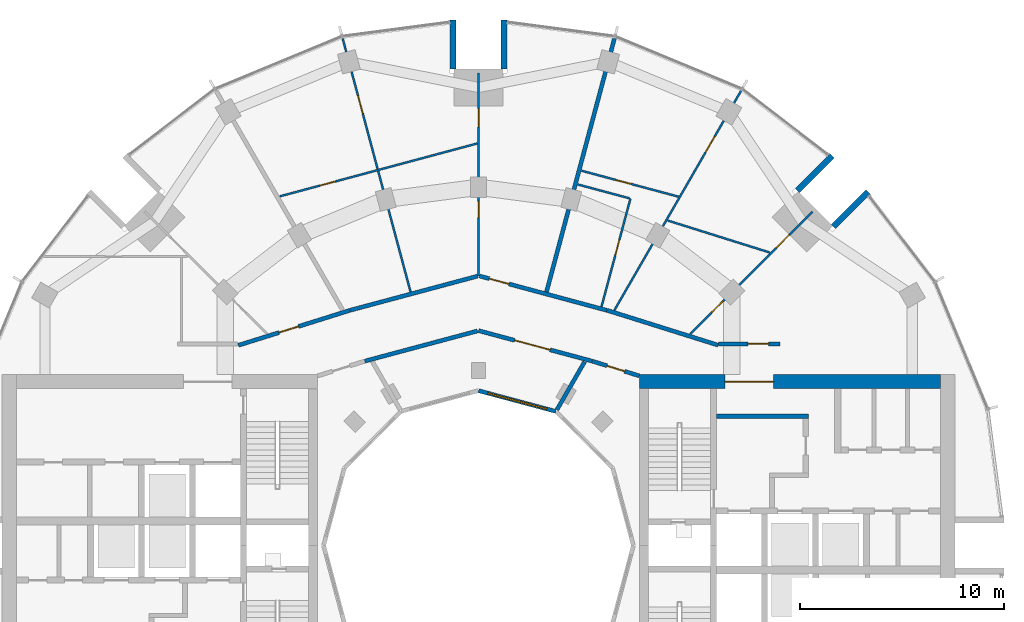
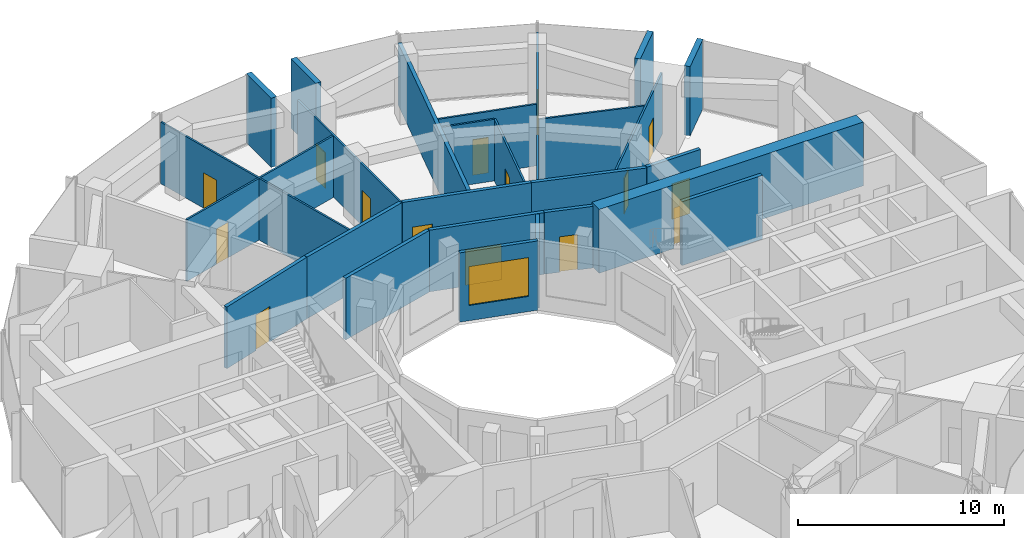
# One storey, part 12 of 15: 26 walls, 15 doors, 1 window, 16 openings.
"""IFC4 building model written with IfcOpenShell, lengths in metres."""

from ifc_helpers import new_model, si_unit, direction, frame, frame_2d, origin, place, context, subcontext, project, spatial, rectangle, extrude, material, layer, layer_set, type_object, element, fill, save


model = new_model("IFC4")

# Units and contexts
model_context = context("Model", 3, precision=1e-05, world=origin(), true_north=direction((0.0, 1.0)))
body_context = subcontext(model_context, "Body", "Model", "MODEL_VIEW")
ifc_project = project(units=[si_unit("LENGTHUNIT", "METRE"), si_unit("AREAUNIT", "SQUARE_METRE"), si_unit("VOLUMEUNIT", "CUBIC_METRE"), si_unit("PLANEANGLEUNIT", "RADIAN"), si_unit("MASSUNIT", "GRAM", prefix="KILO")], contexts=[model_context])

# Site, building, storey
site_placement = place(None, origin())
site = spatial("IfcSite", under=ifc_project, at=site_placement, CompositionType="ELEMENT")
building_placement = place(site_placement, origin())
building = spatial("IfcBuilding", under=site, at=building_placement, Name="Torre Brocal", CompositionType="ELEMENT")
storey_placement = place(building_placement, frame((0.0, 0.0, 170.0)))
storey = spatial("IfcBuildingStorey", under=building, at=storey_placement, Name="L39", CompositionType="ELEMENT", Elevation=170.0)

# Wall
ifc_material_1 = material(Name="Concrete C70", Category="concrete")
ifc_layer_1 = layer(ifc_material_1, 0.199951171875)
ifc_layer_set_1 = layer_set([ifc_layer_1], Name="Concrete C70")
wall_type_1 = type_object("IfcWallType", Name="CORE WALL 200 C70", PredefinedType="SHEAR", material=ifc_layer_set_1)
wall_1_placement = place(storey_placement, frame((91.699951171875, 81.35009765625, 0.0), z_axis=(0.0, 0.0, 1.0), x_axis=(1.0, 0.0, 0.0)))
element("IfcWall", 1, at=wall_1_placement, inside=storey, type_object=wall_type_1, Name="Wall CW200-70", PredefinedType="SHEAR", context=body_context, shape_type="SweptSolid", body=[
    extrude(rectangle(XDim=4.5, YDim=0.199951171875, at=frame_2d((2.25, 0.0))), origin(), (0.0, 0.0, 1.0), 3.780029296875),
])

# Wall, opening, door
ifc_material_2 = material(Name="Concrete C70", Category="concrete")
ifc_layer_2 = layer(ifc_material_2, 0.699951171875)
ifc_layer_set_2 = layer_set([ifc_layer_2], Name="Concrete C70")
wall_type_2 = type_object("IfcWallType", Name="CORE WALL 700 C70", PredefinedType="SHEAR", material=ifc_layer_set_2)
wall_2_placement = place(storey_placement, frame((87.89990234375, 83.050048828125, 0.0), z_axis=(0.0, 0.0, 1.0), x_axis=(1.0, 0.0, 0.0)))
wall_2 = element("IfcWall", 2, at=wall_2_placement, inside=storey, type_object=wall_type_2, Name="Wall CW700-70", PredefinedType="SHEAR", context=body_context, shape_type="SweptSolid", body=[
    extrude(rectangle(XDim=14.800048828125, YDim=0.699951171875, at=frame_2d((7.39990234375, 0.0))), origin(), (0.0, 0.0, 1.0), 3.780029296875),
])
opening_1_placement = place(wall_2_placement, frame((4.199951171875, 0.0, 0.0)))
opening_1 = element("IfcOpeningElement", 3, at=opening_1_placement, cuts=wall_2, Name="Opening E-D12", PredefinedType="OPENING", context=body_context, shape_type="SweptSolid", body=[
    extrude(rectangle(XDim=2.39990234375, YDim=2.39990234375, at=frame_2d((1.199951171875, 1.199951171875))), frame((0.0, 0.35986328125, 0.0), z_axis=(0.0, -1.0, 0.0), x_axis=(1.0, 0.0, 0.0)), (0.0, 0.0, 1.0), 0.719970703125),
])
ifc_material_3 = material(Name="Steel A653", Category="steel")
door_type_1 = type_object("IfcDoorType", Name="DOUBLE FIRE DOOR FD90 2400X2400", OperationType="DOUBLE_DOOR_SINGLE_SWING", PredefinedType="DOOR", material=ifc_material_3)
door_1_placement = place(opening_1_placement, frame((2.39990234375, 0.0, 0.0), z_axis=(0.0, 0.0, 1.0), x_axis=(-1.0, 0.0, 0.0)))
door_1 = element("IfcDoor", 4, at=door_1_placement, inside=storey, type_object=door_type_1, Name="Door E-D12", OperationType="DOUBLE_DOOR_SINGLE_SWING", OverallHeight=2.39990234375, OverallWidth=2.39990234375, PredefinedType="DOOR", context=body_context, shape_type="SweptSolid", body=[
    extrude(rectangle(XDim=2.39990234375, YDim=2.39990234375, at=frame_2d((1.199951171875, 1.199951171875))), frame((0.0, 0.02490234375, 0.0), z_axis=(0.0, -1.0, 0.0), x_axis=(1.0, 0.0, 0.0)), (0.0, 0.0, 1.0), 0.050048828125),
])
fill(opening_1, door_1)

# Walls
ifc_material_4 = material(Name="Concrete C70", Category="concrete")
ifc_layer_3 = layer(ifc_material_4, 0.300048828125)
ifc_layer_set_3 = layer_set([ifc_layer_3], Name="Concrete C70")
wall_type_3 = type_object("IfcWallType", Name="NOTCH RETURN WALL 300 C70", PredefinedType="NOTDEFINED", material=ifc_layer_set_3)
for number, where, z_axis, x_axis, name in (
    (5, (97.43017578125, 90.662353515625, 0.0), (0.0, 0.0, 1.0), (0.707106781187, 0.707106781187, 0.0), "NOTCH RETURN WALL"),
    (6, (95.662353515625, 92.43017578125, 0.0), (0.0, 0.0, 1.0), (0.707106781187, 0.707106781187, 0.0), "NOTCH RETURN WALL"),
    (7, (81.25, 98.39990234375, 0.0), (0.0, 0.0, 1.0), (0.0, 1.0, 0.0), "NOTCH RETURN WALL"),
    (8, (78.75, 98.39990234375, 0.0), (0.0, 0.0, 1.0), (0.0, 1.0, 0.0), "NOTCH RETURN WALL"),
):
    element("IfcWall", number, at=place(storey_placement, frame(where, z_axis=z_axis, x_axis=x_axis)), inside=storey, type_object=wall_type_3, Name=name, PredefinedType="NOTDEFINED", context=body_context, shape_type="SweptSolid", body=[
        extrude(rectangle(XDim=2.415771484375, YDim=0.300048828125, at=frame_2d((1.2080078125, 0.0))), origin(), (0.0, 0.0, 1.0), 4.10009765625),
    ])

# Wall, opening, door
ifc_material_5 = material(Name="Gypsum board", Category="Gypsum")
ifc_layer_4 = layer(ifc_material_5, 0.10009765625)
ifc_layer_set_4 = layer_set([ifc_layer_4], Name="Gypsum board")
wall_type_4 = type_object("IfcWallType", Name="PARTITION 100", PredefinedType="PARTITIONING", material=ifc_layer_set_4)
wall_3_placement = place(storey_placement, frame((70.23193359375, 92.15087890625, 0.0), z_axis=(0.0, 0.0, 1.0), x_axis=(0.965980126086, 0.258616310405, 0.0)))
wall_3 = element("IfcWall", 9, at=wall_3_placement, inside=storey, type_object=wall_type_4, Name="BATHROOM WALL", PredefinedType="PARTITIONING", context=body_context, shape_type="SweptSolid", body=[
    extrude(rectangle(XDim=10.052978515625, YDim=0.10009765625, at=frame_2d((5.0263671875, 0.0))), origin(), (0.0, 0.0, 1.0), 3.64990234375),
])
opening_2_placement = place(wall_3_placement, frame((2.0380859375, 0.0, 0.0)))
opening_2 = element("IfcOpeningElement", 10, at=opening_2_placement, cuts=wall_3, Name="Opening R02-D11", PredefinedType="OPENING", context=body_context, shape_type="SweptSolid", body=[
    extrude(rectangle(XDim=0.800048828125, YDim=2.10009765625, at=frame_2d((0.39990234375, 1.050048828125))), frame((0.0, 0.06005859375, 0.0), z_axis=(0.0, -1.0, 0.0), x_axis=(1.0, 0.0, 0.0)), (0.0, 0.0, 1.0), 0.1201171875),
])
ifc_material_6 = material(Name="Timber", Category="wood")
door_type_2 = type_object("IfcDoorType", Name="BATHROOM DOOR 800X2100", OperationType="SINGLE_SWING_LEFT", PredefinedType="DOOR", material=ifc_material_6)
door_2_placement = place(opening_2_placement, frame((0.800048828125, 0.0, 0.0), z_axis=(0.0, 0.0, 1.0), x_axis=(-1.0, 0.0, 0.0)))
door_2 = element("IfcDoor", 11, at=door_2_placement, inside=storey, type_object=door_type_2, Name="R02-D11", OperationType="SINGLE_SWING_RIGHT", OverallHeight=2.10009765625, OverallWidth=0.800048828125, PredefinedType="DOOR", context=body_context, shape_type="SweptSolid", body=[
    extrude(rectangle(XDim=0.800048828125, YDim=2.10009765625, at=frame_2d((0.39990234375, 1.050048828125))), frame((0.0, 0.02490234375, 0.0), z_axis=(0.0, -1.0, 0.0), x_axis=(1.0, 0.0, 0.0)), (0.0, 0.0, 1.0), 0.050048828125),
])
fill(opening_2, door_2)

wall_4_placement = place(storey_placement, frame((73.322998046875, 99.919189453125, 0.0), z_axis=(0.0, 0.0, 1.0), x_axis=(0.258768239436, -0.965939438194, 0.0)))
wall_4 = element("IfcWall", 12, at=wall_4_placement, inside=storey, type_object=wall_type_4, Name="BATHROOM WALL", PredefinedType="PARTITIONING", context=body_context, shape_type="SweptSolid", body=[
    extrude(rectangle(XDim=12.90380859375, YDim=0.10009765625, at=frame_2d((6.451904296875, 0.0))), origin(), (0.0, 0.0, 1.0), 3.64990234375),
])
opening_3_placement = place(wall_4_placement, frame((2.92724609375, 0.0, 0.0)))
opening_3 = element("IfcOpeningElement", 13, at=opening_3_placement, cuts=wall_4, Name="Opening R02-D10", PredefinedType="OPENING", context=body_context, shape_type="SweptSolid", body=[
    extrude(rectangle(XDim=0.89990234375, YDim=2.10009765625, at=frame_2d((0.449951171875, 1.050048828125))), frame((0.0, 0.06005859375, 0.0), z_axis=(0.0, -1.0, 0.0), x_axis=(1.0, 0.0, 0.0)), (0.0, 0.0, 1.0), 0.1201171875),
])
ifc_material_7 = material(Name="Timber", Category="wood")
door_type_3 = type_object("IfcDoorType", Name="ROOM DOOR 900X2100", OperationType="SINGLE_SWING_LEFT", PredefinedType="DOOR", material=ifc_material_7)
door_3_placement = place(opening_3_placement, origin())
door_3 = element("IfcDoor", 14, at=door_3_placement, inside=storey, type_object=door_type_3, Name="R02-D10", OperationType="SINGLE_SWING_LEFT", OverallHeight=2.10009765625, OverallWidth=0.89990234375, PredefinedType="DOOR", context=body_context, shape_type="SweptSolid", body=[
    extrude(rectangle(XDim=0.89990234375, YDim=2.10009765625, at=frame_2d((0.449951171875, 1.050048828125))), frame((0.0, 0.02490234375, 0.0), z_axis=(0.0, -1.0, 0.0), x_axis=(1.0, 0.0, 0.0)), (0.0, 0.0, 1.0), 0.050048828125),
])
fill(opening_3, door_3)

# Wall, openings, doors
wall_5_placement = place(storey_placement, frame((80.0, 88.24609375, 0.0), z_axis=(0.0, 0.0, 1.0), x_axis=(0.0, 1.0, 0.0)))
wall_5 = element("IfcWall", 15, at=wall_5_placement, inside=storey, type_object=wall_type_4, Name="BATHROOM WALL", PredefinedType="PARTITIONING", context=body_context, shape_type="SweptSolid", body=[
    extrude(rectangle(XDim=9.953857421875, YDim=0.10009765625, at=frame_2d((4.97705078125, 0.0))), origin(), (0.0, 0.0, 1.0), 3.64990234375),
])
opening_4_placement = place(wall_5_placement, frame((7.3134765625, 0.0, 0.0)))
opening_4 = element("IfcOpeningElement", 16, at=opening_4_placement, cuts=wall_5, Name="Opening R02-D08", PredefinedType="OPENING", context=body_context, shape_type="SweptSolid", body=[
    extrude(rectangle(XDim=0.89990234375, YDim=2.10009765625, at=frame_2d((0.449951171875, 1.050048828125))), frame((0.0, 0.06005859375, 0.0), z_axis=(0.0, -1.0, 0.0), x_axis=(1.0, 0.0, 0.0)), (0.0, 0.0, 1.0), 0.1201171875),
])
opening_5_placement = place(wall_5_placement, frame((2.861572265625, 0.0, 0.0)))
opening_5 = element("IfcOpeningElement", 17, at=opening_5_placement, cuts=wall_5, Name="Opening R02-D09", PredefinedType="OPENING", context=body_context, shape_type="SweptSolid", body=[
    extrude(rectangle(XDim=0.800048828125, YDim=2.10009765625, at=frame_2d((0.39990234375, 1.050048828125))), frame((0.0, 0.06005859375, 0.0), z_axis=(0.0, -1.0, 0.0), x_axis=(1.0, 0.0, 0.0)), (0.0, 0.0, 1.0), 0.1201171875),
])
door_4_placement = place(opening_5_placement, origin())
door_4 = element("IfcDoor", 18, at=door_4_placement, inside=storey, type_object=door_type_2, Name="R02-D09", OperationType="SINGLE_SWING_RIGHT", OverallHeight=2.10009765625, OverallWidth=0.800048828125, PredefinedType="DOOR", context=body_context, shape_type="SweptSolid", body=[
    extrude(rectangle(XDim=0.800048828125, YDim=2.10009765625, at=frame_2d((0.39990234375, 1.050048828125))), frame((0.0, 0.02490234375, 0.0), z_axis=(0.0, -1.0, 0.0), x_axis=(1.0, 0.0, 0.0)), (0.0, 0.0, 1.0), 0.050048828125),
])
fill(opening_5, door_4)
door_5_placement = place(opening_4_placement, origin())
door_5 = element("IfcDoor", 19, at=door_5_placement, inside=storey, type_object=door_type_3, Name="R02-D08", OperationType="SINGLE_SWING_LEFT", OverallHeight=2.10009765625, OverallWidth=0.89990234375, PredefinedType="DOOR", context=body_context, shape_type="SweptSolid", body=[
    extrude(rectangle(XDim=0.89990234375, YDim=2.10009765625, at=frame_2d((0.449951171875, 1.050048828125))), frame((0.0, 0.02490234375, 0.0), z_axis=(0.0, -1.0, 0.0), x_axis=(1.0, 0.0, 0.0)), (0.0, 0.0, 1.0), 0.050048828125),
])
fill(opening_4, door_5)

# Wall
wall_6_placement = place(storey_placement, frame((84.8671875, 92.738525390625, 0.0), z_axis=(0.0, 0.0, 1.0), x_axis=(0.96595176814, -0.25872220938, 0.0)))
element("IfcWall", 20, at=wall_6_placement, inside=storey, type_object=wall_type_4, Name="BATHROOM WALL", PredefinedType="PARTITIONING", context=body_context, shape_type="SweptSolid", body=[
    extrude(rectangle(XDim=2.638427734375, YDim=0.10009765625, at=frame_2d((1.3193359375, 0.0))), origin(), (0.0, 0.0, 1.0), 3.64990234375),
])

# Wall, opening, door
wall_7_placement = place(storey_placement, frame((85.04833984375, 93.41455078125, 0.0), z_axis=(0.0, 0.0, 1.0), x_axis=(0.965981309458, -0.258611890247, 0.0)))
wall_7 = element("IfcWall", 21, at=wall_7_placement, inside=storey, type_object=wall_type_4, Name="BATHROOM WALL", PredefinedType="PARTITIONING", context=body_context, shape_type="SweptSolid", body=[
    extrude(rectangle(XDim=4.94580078125, YDim=0.10009765625, at=frame_2d((2.472900390625, 0.0))), origin(), (0.0, 0.0, 1.0), 3.64990234375),
])
opening_6_placement = place(wall_7_placement, frame((1.748046875, 0.0, 0.0)))
opening_6 = element("IfcOpeningElement", 22, at=opening_6_placement, cuts=wall_7, Name="Opening R02-D06", PredefinedType="OPENING", context=body_context, shape_type="SweptSolid", body=[
    extrude(rectangle(XDim=0.800048828125, YDim=2.10009765625, at=frame_2d((0.39990234375, 1.050048828125))), frame((0.0, 0.06005859375, 0.0), z_axis=(0.0, -1.0, 0.0), x_axis=(1.0, 0.0, 0.0)), (0.0, 0.0, 1.0), 0.1201171875),
])
door_6_placement = place(opening_6_placement, origin())
door_6 = element("IfcDoor", 23, at=door_6_placement, inside=storey, type_object=door_type_2, Name="R02-D06", OperationType="SINGLE_SWING_LEFT", OverallHeight=2.10009765625, OverallWidth=0.800048828125, PredefinedType="DOOR", context=body_context, shape_type="SweptSolid", body=[
    extrude(rectangle(XDim=0.800048828125, YDim=2.10009765625, at=frame_2d((0.39990234375, 1.050048828125))), frame((0.0, 0.02490234375, 0.0), z_axis=(0.0, -1.0, 0.0), x_axis=(1.0, 0.0, 0.0)), (0.0, 0.0, 1.0), 0.050048828125),
])
fill(opening_6, door_6)

wall_8_placement = place(storey_placement, frame((86.0419921875, 86.730712890625, 0.0), z_axis=(0.0, 0.0, 1.0), x_axis=(0.258599239637, 0.965984696183, 0.0)))
wall_8 = element("IfcWall", 24, at=wall_8_placement, inside=storey, type_object=wall_type_4, Name="BATHROOM WALL", PredefinedType="PARTITIONING", context=body_context, shape_type="SweptSolid", body=[
    extrude(rectangle(XDim=5.499267578125, YDim=0.10009765625, at=frame_2d((2.74951171875, 0.0))), origin(), (0.0, 0.0, 1.0), 3.64990234375),
])
opening_7_placement = place(wall_8_placement, frame((2.599609375, 0.0, 0.0)))
opening_7 = element("IfcOpeningElement", 25, at=opening_7_placement, cuts=wall_8, Name="Opening R02-D05", PredefinedType="OPENING", context=body_context, shape_type="SweptSolid", body=[
    extrude(rectangle(XDim=0.800048828125, YDim=2.10009765625, at=frame_2d((0.39990234375, 1.050048828125))), frame((0.0, 0.06005859375, 0.0), z_axis=(0.0, -1.0, 0.0), x_axis=(1.0, 0.0, 0.0)), (0.0, 0.0, 1.0), 0.1201171875),
])
door_7_placement = place(opening_7_placement, origin())
door_7 = element("IfcDoor", 26, at=door_7_placement, inside=storey, type_object=door_type_2, Name="R02-D05", OperationType="SINGLE_SWING_RIGHT", OverallHeight=2.10009765625, OverallWidth=0.800048828125, PredefinedType="DOOR", context=body_context, shape_type="SweptSolid", body=[
    extrude(rectangle(XDim=0.800048828125, YDim=2.10009765625, at=frame_2d((0.39990234375, 1.050048828125))), frame((0.0, 0.02490234375, 0.0), z_axis=(0.0, -1.0, 0.0), x_axis=(1.0, 0.0, 0.0)), (0.0, 0.0, 1.0), 0.050048828125),
])
fill(opening_7, door_7)

wall_9_placement = place(storey_placement, frame((86.671875, 86.5537109375, 0.0), z_axis=(0.0, 0.0, 1.0), x_axis=(0.500043115992, 0.866000509324, 0.0)))
wall_9 = element("IfcWall", 27, at=wall_9_placement, inside=storey, type_object=wall_type_4, Name="BATHROOM WALL", PredefinedType="PARTITIONING", context=body_context, shape_type="SweptSolid", body=[
    extrude(rectangle(XDim=12.4560546875, YDim=0.10009765625, at=frame_2d((6.22802734375, 0.0))), origin(), (0.0, 0.0, 1.0), 3.64990234375),
])
opening_8_placement = place(wall_9_placement, frame((8.955810546875, 0.0, 0.0)))
opening_8 = element("IfcOpeningElement", 28, at=opening_8_placement, cuts=wall_9, Name="Opening R02-D04", PredefinedType="OPENING", context=body_context, shape_type="SweptSolid", body=[
    extrude(rectangle(XDim=0.89990234375, YDim=2.10009765625, at=frame_2d((0.449951171875, 1.050048828125))), frame((0.0, 0.06005859375, 0.0), z_axis=(0.0, -1.0, 0.0), x_axis=(1.0, 0.0, 0.0)), (0.0, 0.0, 1.0), 0.1201171875),
])
door_8_placement = place(opening_8_placement, frame((0.89990234375, 0.0, 0.0), z_axis=(0.0, 0.0, 1.0), x_axis=(-1.0, 0.0, 0.0)))
door_8 = element("IfcDoor", 29, at=door_8_placement, inside=storey, type_object=door_type_3, Name="R02-D04", OperationType="SINGLE_SWING_LEFT", OverallHeight=2.10009765625, OverallWidth=0.89990234375, PredefinedType="DOOR", context=body_context, shape_type="SweptSolid", body=[
    extrude(rectangle(XDim=0.89990234375, YDim=2.10009765625, at=frame_2d((0.449951171875, 1.050048828125))), frame((0.0, 0.02490234375, 0.0), z_axis=(0.0, -1.0, 0.0), x_axis=(1.0, 0.0, 0.0)), (0.0, 0.0, 1.0), 0.050048828125),
])
fill(opening_8, door_8)

# Wall
wall_10_placement = place(storey_placement, frame((89.286376953125, 90.967041015625, 0.0), z_axis=(0.0, 0.0, 1.0), x_axis=(0.954193783918, -0.299189275763, 0.0)))
element("IfcWall", 30, at=wall_10_placement, inside=storey, type_object=wall_type_4, Name="BATHROOM WALL", PredefinedType="PARTITIONING", context=body_context, shape_type="SweptSolid", body=[
    extrude(rectangle(XDim=5.260009765625, YDim=0.10009765625, at=frame_2d((2.6298828125, 0.0))), origin(), (0.0, 0.0, 1.0), 3.64990234375),
])

# Wall, openings, doors
wall_11_placement = place(storey_placement, frame((90.396484375, 85.393310546875, 0.0), z_axis=(0.0, 0.0, 1.0), x_axis=(0.707279106146, 0.706934414221, 0.0)))
wall_11 = element("IfcWall", 31, at=wall_11_placement, inside=storey, type_object=wall_type_4, Name="BATHROOM WALL", PredefinedType="PARTITIONING", context=body_context, shape_type="SweptSolid", body=[
    extrude(rectangle(XDim=8.49951171875, YDim=0.10009765625, at=frame_2d((4.249755859375, 0.0))), origin(), (0.0, 0.0, 1.0), 3.64990234375),
])
opening_9_placement = place(wall_11_placement, frame((5.9755859375, 0.0, 0.0)))
opening_9 = element("IfcOpeningElement", 32, at=opening_9_placement, cuts=wall_11, Name="Opening R02-D02", PredefinedType="OPENING", context=body_context, shape_type="SweptSolid", body=[
    extrude(rectangle(XDim=0.89990234375, YDim=2.10009765625, at=frame_2d((0.449951171875, 1.050048828125))), frame((0.0, 0.06005859375, 0.0), z_axis=(0.0, -1.0, 0.0), x_axis=(1.0, 0.0, 0.0)), (0.0, 0.0, 1.0), 0.1201171875),
])
opening_10_placement = place(wall_11_placement, frame((1.467041015625, 0.0, 0.0)))
opening_10 = element("IfcOpeningElement", 33, at=opening_10_placement, cuts=wall_11, Name="Opening R02-D03", PredefinedType="OPENING", context=body_context, shape_type="SweptSolid", body=[
    extrude(rectangle(XDim=0.800048828125, YDim=2.10009765625, at=frame_2d((0.39990234375, 1.050048828125))), frame((0.0, 0.06005859375, 0.0), z_axis=(0.0, -1.0, 0.0), x_axis=(1.0, 0.0, 0.0)), (0.0, 0.0, 1.0), 0.1201171875),
])
door_9_placement = place(opening_10_placement, origin())
door_9 = element("IfcDoor", 34, at=door_9_placement, inside=storey, type_object=door_type_2, Name="R02-D03", OperationType="SINGLE_SWING_LEFT", OverallHeight=2.10009765625, OverallWidth=0.800048828125, PredefinedType="DOOR", context=body_context, shape_type="SweptSolid", body=[
    extrude(rectangle(XDim=0.800048828125, YDim=2.10009765625, at=frame_2d((0.39990234375, 1.050048828125))), frame((0.0, 0.02490234375, 0.0), z_axis=(0.0, -1.0, 0.0), x_axis=(1.0, 0.0, 0.0)), (0.0, 0.0, 1.0), 0.050048828125),
])
fill(opening_10, door_9)
door_10_placement = place(opening_9_placement, frame((0.89990234375, 0.0, 0.0), z_axis=(0.0, 0.0, 1.0), x_axis=(-1.0, 0.0, 0.0)))
door_10 = element("IfcDoor", 35, at=door_10_placement, inside=storey, type_object=door_type_3, Name="R02-D02", OperationType="SINGLE_SWING_LEFT", OverallHeight=2.10009765625, OverallWidth=0.89990234375, PredefinedType="DOOR", context=body_context, shape_type="SweptSolid", body=[
    extrude(rectangle(XDim=0.89990234375, YDim=2.10009765625, at=frame_2d((0.449951171875, 1.050048828125))), frame((0.0, 0.02490234375, 0.0), z_axis=(0.0, -1.0, 0.0), x_axis=(1.0, 0.0, 0.0)), (0.0, 0.0, 1.0), 0.050048828125),
])
fill(opening_9, door_10)

# Wall, opening, door
ifc_material_8 = material(Name="Gypsum board", Category="Gypsum")
ifc_layer_5 = layer(ifc_material_8, 0.199951171875)
ifc_layer_set_5 = layer_set([ifc_layer_5], Name="Gypsum board")
wall_type_5 = type_object("IfcWallType", Name="PARTITION 200 EI60", PredefinedType="PARTITIONING", material=ifc_layer_set_5)
wall_12_placement = place(storey_placement, frame((68.199951171875, 84.833251953125, 0.0), z_axis=(0.0, 0.0, 1.0), x_axis=(0.954191968402, 0.299195065863, 0.0)))
wall_12 = element("IfcWall", 36, at=wall_12_placement, inside=storey, type_object=wall_type_5, Name="FLAT ENTRANCE WALL", PredefinedType="PARTITIONING", context=body_context, shape_type="SweptSolid", body=[
    extrude(rectangle(XDim=5.740478515625, YDim=0.199951171875, at=frame_2d((2.8701171875, 0.0))), origin(), (0.0, 0.0, 1.0), 3.64990234375),
])
opening_11_placement = place(wall_12_placement, frame((2.096923828125, 0.0, 0.0)))
opening_11 = element("IfcOpeningElement", 37, at=opening_11_placement, cuts=wall_12, Name="Opening R02-D12", PredefinedType="OPENING", context=body_context, shape_type="SweptSolid", body=[
    extrude(rectangle(XDim=1.0, YDim=2.10009765625, at=frame_2d((0.5, 1.050048828125))), frame((0.0, 0.10986328125, 0.0), z_axis=(0.0, -1.0, 0.0), x_axis=(1.0, 0.0, 0.0)), (0.0, 0.0, 1.0), 0.219970703125),
])
ifc_material_9 = material(Name="Timber", Category="wood")
door_type_4 = type_object("IfcDoorType", Name="FLAT ENTRY DOOR FD30S 1000X2100", OperationType="SINGLE_SWING_RIGHT", PredefinedType="DOOR", material=ifc_material_9)
door_11_placement = place(opening_11_placement, origin())
door_11 = element("IfcDoor", 38, at=door_11_placement, inside=storey, type_object=door_type_4, Name="R02-D12", OperationType="SINGLE_SWING_LEFT", OverallHeight=2.10009765625, OverallWidth=1.0, PredefinedType="DOOR", context=body_context, shape_type="SweptSolid", body=[
    extrude(rectangle(XDim=1.0, YDim=2.10009765625, at=frame_2d((0.5, 1.050048828125))), frame((0.0, 0.02490234375, 0.0), z_axis=(0.0, -1.0, 0.0), x_axis=(1.0, 0.0, 0.0)), (0.0, 0.0, 1.0), 0.050048828125),
])
fill(opening_11, door_11)

# Walls
wall_13_placement = place(storey_placement, frame((73.68701171875, 86.55419921875, 0.0), z_axis=(0.0, 0.0, 1.0), x_axis=(0.96595928904, 0.258694128106, 0.0)))
element("IfcWall", 39, at=wall_13_placement, inside=storey, type_object=wall_type_5, Name="GUESTROOM CORRIDOR WALL", PredefinedType="PARTITIONING", context=body_context, shape_type="SweptSolid", body=[
    extrude(rectangle(XDim=6.495849609375, YDim=0.199951171875, at=frame_2d((3.248046875, 0.0))), origin(), (0.0, 0.0, 1.0), 3.64990234375),
])
wall_14_placement = place(storey_placement, frame((74.412841796875, 84.05712890625, 0.0), z_axis=(0.0, 0.0, 1.0), x_axis=(0.965970849692, 0.258650956976, 0.0)))
element("IfcWall", 40, at=wall_14_placement, inside=storey, type_object=wall_type_5, Name="CORRIDOR WALL", PredefinedType="PARTITIONING", context=body_context, shape_type="SweptSolid", body=[
    extrude(rectangle(XDim=5.734130859375, YDim=0.199951171875, at=frame_2d((2.8671875, 0.0))), origin(), (0.0, 0.0, 1.0), 3.64990234375),
])

# Wall, opening, door
wall_15_placement = place(storey_placement, frame((80.0, 85.55419921875, 0.0), z_axis=(0.0, 0.0, 1.0), x_axis=(0.965894438951, -0.258936155845, 0.0)))
wall_15 = element("IfcWall", 41, at=wall_15_placement, inside=storey, type_object=wall_type_5, Name="CORRIDOR WALL", PredefinedType="PARTITIONING", context=body_context, shape_type="SweptSolid", body=[
    extrude(rectangle(XDim=5.774169921875, YDim=0.199951171875, at=frame_2d((2.88720703125, 0.0))), origin(), (0.0, 0.0, 1.0), 3.64990234375),
])
opening_12_placement = place(wall_15_placement, frame((1.84130859375, 0.0, 0.0)))
opening_12 = element("IfcOpeningElement", 42, at=opening_12_placement, cuts=wall_15, Name="Opening R02-D17", PredefinedType="OPENING", context=body_context, shape_type="SweptSolid", body=[
    extrude(rectangle(XDim=1.800048828125, YDim=2.10009765625, at=frame_2d((0.89990234375, 1.050048828125))), frame((0.0, 0.10986328125, 0.0), z_axis=(0.0, -1.0, 0.0), x_axis=(1.0, 0.0, 0.0)), (0.0, 0.0, 1.0), 0.219970703125),
])
ifc_material_10 = material(Name="Timber", Category="wood")
door_type_5 = type_object("IfcDoorType", Name="DOUBLE DOOR 1800X2100", OperationType="DOUBLE_DOOR_SINGLE_SWING", PredefinedType="DOOR", material=ifc_material_10)
door_12_placement = place(opening_12_placement, frame((1.800048828125, 0.0, 0.0), z_axis=(0.0, 0.0, 1.0), x_axis=(-1.0, 0.0, 0.0)))
door_12 = element("IfcDoor", 43, at=door_12_placement, inside=storey, type_object=door_type_5, Name="R02-D17", OperationType="DOUBLE_DOOR_SINGLE_SWING", OverallHeight=2.10009765625, OverallWidth=1.800048828125, PredefinedType="DOOR", context=body_context, shape_type="SweptSolid", body=[
    extrude(rectangle(XDim=1.800048828125, YDim=2.10009765625, at=frame_2d((0.89990234375, 1.050048828125))), frame((0.0, 0.02490234375, 0.0), z_axis=(0.0, -1.0, 0.0), x_axis=(1.0, 0.0, 0.0)), (0.0, 0.0, 1.0), 0.050048828125),
])
fill(opening_12, door_12)

wall_16_placement = place(storey_placement, frame((80.04931640625, 88.237060546875, 0.0), z_axis=(0.0, 0.0, 1.0), x_axis=(0.965582990495, -0.260095152718, 0.0)))
wall_16 = element("IfcWall", 44, at=wall_16_placement, inside=storey, type_object=wall_type_5, Name="FLAT ENTRANCE WALL", PredefinedType="PARTITIONING", context=body_context, shape_type="SweptSolid", body=[
    extrude(rectangle(XDim=6.475830078125, YDim=0.199951171875, at=frame_2d((3.23779296875, 0.0))), origin(), (0.0, 0.0, 1.0), 3.64990234375),
])
opening_13_placement = place(wall_16_placement, frame((0.5, 0.0, 0.0)))
opening_13 = element("IfcOpeningElement", 45, at=opening_13_placement, cuts=wall_16, Name="Opening R02-D07", PredefinedType="OPENING", context=body_context, shape_type="SweptSolid", body=[
    extrude(rectangle(XDim=1.0, YDim=2.10009765625, at=frame_2d((0.5, 1.050048828125))), frame((0.0, 0.10986328125, 0.0), z_axis=(0.0, -1.0, 0.0), x_axis=(1.0, 0.0, 0.0)), (0.0, 0.0, 1.0), 0.219970703125),
])
door_13_placement = place(opening_13_placement, origin())
door_13 = element("IfcDoor", 46, at=door_13_placement, inside=storey, type_object=door_type_4, Name="R02-D07", OperationType="SINGLE_SWING_LEFT", OverallHeight=2.10009765625, OverallWidth=1.0, PredefinedType="DOOR", context=body_context, shape_type="SweptSolid", body=[
    extrude(rectangle(XDim=1.0, YDim=2.10009765625, at=frame_2d((0.5, 1.050048828125))), frame((0.0, 0.02490234375, 0.0), z_axis=(0.0, -1.0, 0.0), x_axis=(1.0, 0.0, 0.0)), (0.0, 0.0, 1.0), 0.050048828125),
])
fill(opening_13, door_13)

# Walls
wall_17_placement = place(storey_placement, frame((83.33935546875, 87.45458984375, 0.0), z_axis=(0.0, 0.0, 1.0), x_axis=(0.258941302036, 0.96589305935, 0.0)))
element("IfcWall", 47, at=wall_17_placement, inside=storey, type_object=wall_type_5, Name="BATHROOM WALL", PredefinedType="PARTITIONING", context=body_context, shape_type="SweptSolid", body=[
    extrude(rectangle(XDim=12.90380859375, YDim=0.199951171875, at=frame_2d((6.451904296875, 0.0))), origin(), (0.0, 0.0, 1.0), 3.64990234375),
])
wall_18_placement = place(storey_placement, frame((83.850830078125, 81.667236328125, 0.0), z_axis=(0.0, 0.0, 1.0), x_axis=(0.500099931433, 0.865967700657, 0.0)))
element("IfcWall", 48, at=wall_18_placement, inside=storey, type_object=wall_type_5, Name="PARTY PARTITION", PredefinedType="PARTITIONING", context=body_context, shape_type="SweptSolid", body=[
    extrude(rectangle(XDim=2.724609375, YDim=0.199951171875, at=frame_2d((1.3623046875, 0.0))), origin(), (0.0, 0.0, 1.0), 3.64990234375),
])

# Wall, opening, door
wall_19_placement = place(storey_placement, frame((85.5869140625, 84.056884765625, 0.0), z_axis=(0.0, 0.0, 1.0), x_axis=(0.954239513179, -0.299043393987, 0.0)))
wall_19 = element("IfcWall", 49, at=wall_19_placement, inside=storey, type_object=wall_type_5, Name="CORRIDOR WALL", PredefinedType="PARTITIONING", context=body_context, shape_type="SweptSolid", body=[
    extrude(rectangle(XDim=2.423828125, YDim=0.199951171875, at=frame_2d((1.2119140625, 0.0))), origin(), (0.0, 0.0, 1.0), 3.64990234375),
])
opening_14_placement = place(wall_19_placement, frame((0.761962890625, 0.0, 0.0)))
opening_14 = element("IfcOpeningElement", 50, at=opening_14_placement, cuts=wall_19, Name="Opening R02-D16", PredefinedType="OPENING", context=body_context, shape_type="SweptSolid", body=[
    extrude(rectangle(XDim=0.89990234375, YDim=2.10009765625, at=frame_2d((0.449951171875, 1.050048828125))), frame((0.0, 0.10986328125, 0.0), z_axis=(0.0, -1.0, 0.0), x_axis=(1.0, 0.0, 0.0)), (0.0, 0.0, 1.0), 0.219970703125),
])
door_14_placement = place(opening_14_placement, frame((0.89990234375, 0.0, 0.0), z_axis=(0.0, 0.0, 1.0), x_axis=(-1.0, 0.0, 0.0)))
door_14 = element("IfcDoor", 51, at=door_14_placement, inside=storey, type_object=door_type_3, Name="R02-D16", OperationType="SINGLE_SWING_LEFT", OverallHeight=2.10009765625, OverallWidth=0.89990234375, PredefinedType="DOOR", context=body_context, shape_type="SweptSolid", body=[
    extrude(rectangle(XDim=0.89990234375, YDim=2.10009765625, at=frame_2d((0.449951171875, 1.050048828125))), frame((0.0, 0.02490234375, 0.0), z_axis=(0.0, -1.0, 0.0), x_axis=(1.0, 0.0, 0.0)), (0.0, 0.0, 1.0), 0.050048828125),
])
fill(opening_14, door_14)

# Wall
wall_20_placement = place(storey_placement, frame((86.31298828125, 86.554443359375, 0.0), z_axis=(0.0, 0.0, 1.0), x_axis=(0.954081217458, -0.299548043717, 0.0)))
element("IfcWall", 52, at=wall_20_placement, inside=storey, type_object=wall_type_5, Name="FLAT ENTRANCE WALL", PredefinedType="PARTITIONING", context=body_context, shape_type="SweptSolid", body=[
    extrude(rectangle(XDim=5.720703125, YDim=0.199951171875, at=frame_2d((2.8603515625, 0.0))), origin(), (0.0, 0.0, 1.0), 3.64990234375),
])

# Wall, opening, door
wall_21_placement = place(storey_placement, frame((91.800048828125, 84.89990234375, 0.0), z_axis=(0.0, 0.0, 1.0), x_axis=(1.0, 0.0, 0.0)))
wall_21 = element("IfcWall", 53, at=wall_21_placement, inside=storey, type_object=wall_type_5, Name="FLAT ENTRANCE WALL", PredefinedType="PARTITIONING", context=body_context, shape_type="SweptSolid", body=[
    extrude(rectangle(XDim=3.0, YDim=0.199951171875, at=frame_2d((1.5, 0.0))), origin(), (0.0, 0.0, 1.0), 3.64990234375),
])
opening_15_placement = place(wall_21_placement, frame((1.449951171875, 0.0, 0.0)))
opening_15 = element("IfcOpeningElement", 54, at=opening_15_placement, cuts=wall_21, Name="Opening R02-D01", PredefinedType="OPENING", context=body_context, shape_type="SweptSolid", body=[
    extrude(rectangle(XDim=1.0, YDim=2.10009765625, at=frame_2d((0.5, 1.050048828125))), frame((0.0, 0.10986328125, 0.0), z_axis=(0.0, -1.0, 0.0), x_axis=(1.0, 0.0, 0.0)), (0.0, 0.0, 1.0), 0.219970703125),
])
door_15_placement = place(opening_15_placement, origin())
door_15 = element("IfcDoor", 55, at=door_15_placement, inside=storey, type_object=door_type_4, Name="R02-D01", OperationType="SINGLE_SWING_LEFT", OverallHeight=2.10009765625, OverallWidth=1.0, PredefinedType="DOOR", context=body_context, shape_type="SweptSolid", body=[
    extrude(rectangle(XDim=1.0, YDim=2.10009765625, at=frame_2d((0.5, 1.050048828125))), frame((0.0, 0.02490234375, 0.0), z_axis=(0.0, -1.0, 0.0), x_axis=(1.0, 0.0, 0.0)), (0.0, 0.0, 1.0), 0.050048828125),
])
fill(opening_15, door_15)

# Wall, opening, window
ifc_material_11 = material(Name="Concrete C40", Category="concrete")
ifc_layer_6 = layer(ifc_material_11, 0.199951171875)
ifc_layer_set_6 = layer_set([ifc_layer_6], Name="Concrete C40")
wall_type_6 = type_object("IfcWallType", Name="WELL FACADE WALL 200", PredefinedType="NOTDEFINED", material=ifc_layer_set_6)
wall_22_placement = place(storey_placement, frame((83.8017578125, 81.5849609375, 0.0), z_axis=(0.0, 0.0, 1.0), x_axis=(-0.965933654434, 0.258789828301, 0.0)))
wall_22 = element("IfcWall", 56, at=wall_22_placement, inside=storey, type_object=wall_type_6, Name="WELL FACADE WALL", PredefinedType="NOTDEFINED", context=body_context, shape_type="SweptSolid", body=[
    extrude(rectangle(XDim=3.935791015625, YDim=0.199951171875, at=frame_2d((1.9677734375, 0.0))), origin(), (0.0, 0.0, 1.0), 4.10009765625),
])
opening_16_placement = place(wall_22_placement, frame((0.468017578125, 0.0, 0.89990234375)))
opening_16 = element("IfcOpeningElement", 57, at=opening_16_placement, cuts=wall_22, Name="Opening W1", PredefinedType="OPENING", context=body_context, shape_type="SweptSolid", body=[
    extrude(rectangle(XDim=3.0, YDim=2.300048828125, at=frame_2d((1.5, 1.14990234375))), frame((0.0, 0.10986328125, 0.0), z_axis=(0.0, -1.0, 0.0), x_axis=(1.0, 0.0, 0.0)), (0.0, 0.0, 1.0), 0.219970703125),
])
ifc_material_12 = material(Name="Aluminium and glass", Category="aluminium")
window_type = type_object("IfcWindowType", Name="WELL WINDOW 3000X2300", PartitioningType="SINGLE_PANEL", PredefinedType="WINDOW", material=ifc_material_12)
window_placement = place(opening_16_placement, origin())
window = element("IfcWindow", 58, at=window_placement, inside=storey, type_object=window_type, Name="WELL WINDOW 3000X2300", OverallHeight=2.300048828125, OverallWidth=3.0, PartitioningType="SINGLE_PANEL", PredefinedType="WINDOW", context=body_context, shape_type="SweptSolid", body=[
    extrude(rectangle(XDim=3.0, YDim=2.300048828125, at=frame_2d((1.5, 1.14990234375))), frame((0.0, 0.030029296875, 0.0), z_axis=(0.0, -1.0, 0.0), x_axis=(1.0, 0.0, 0.0)), (0.0, 0.0, 1.0), 0.06005859375),
])
fill(opening_16, window)

save(model, "model.ifc")
